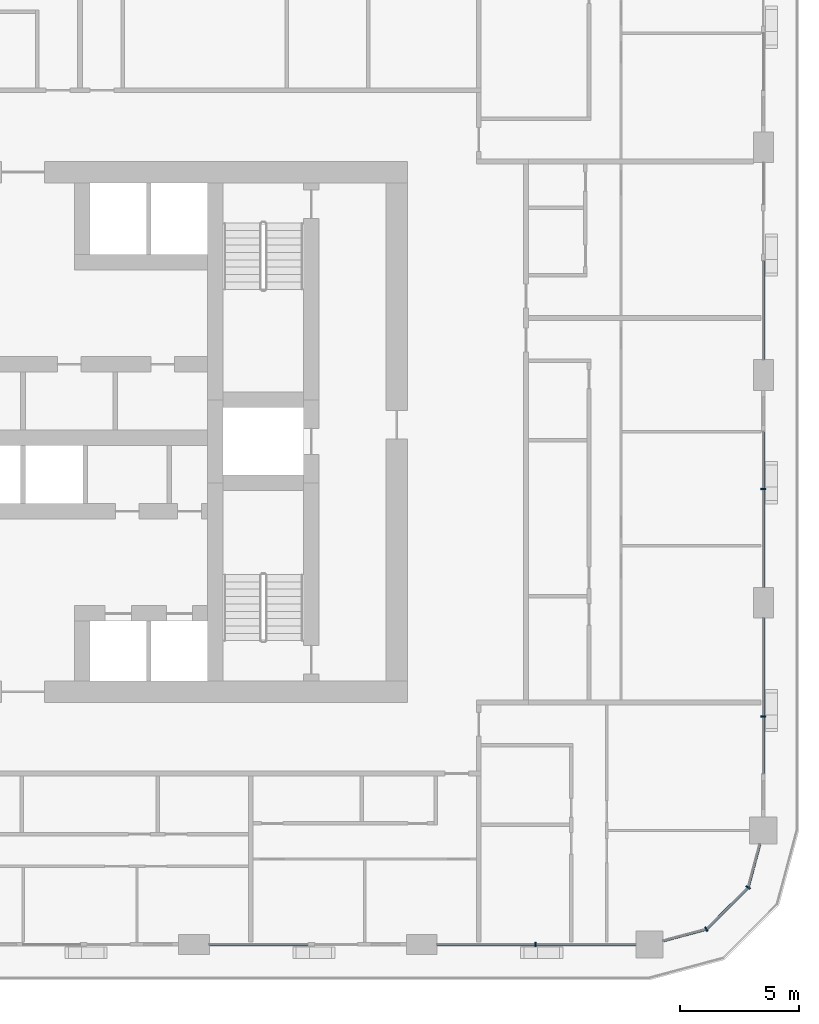
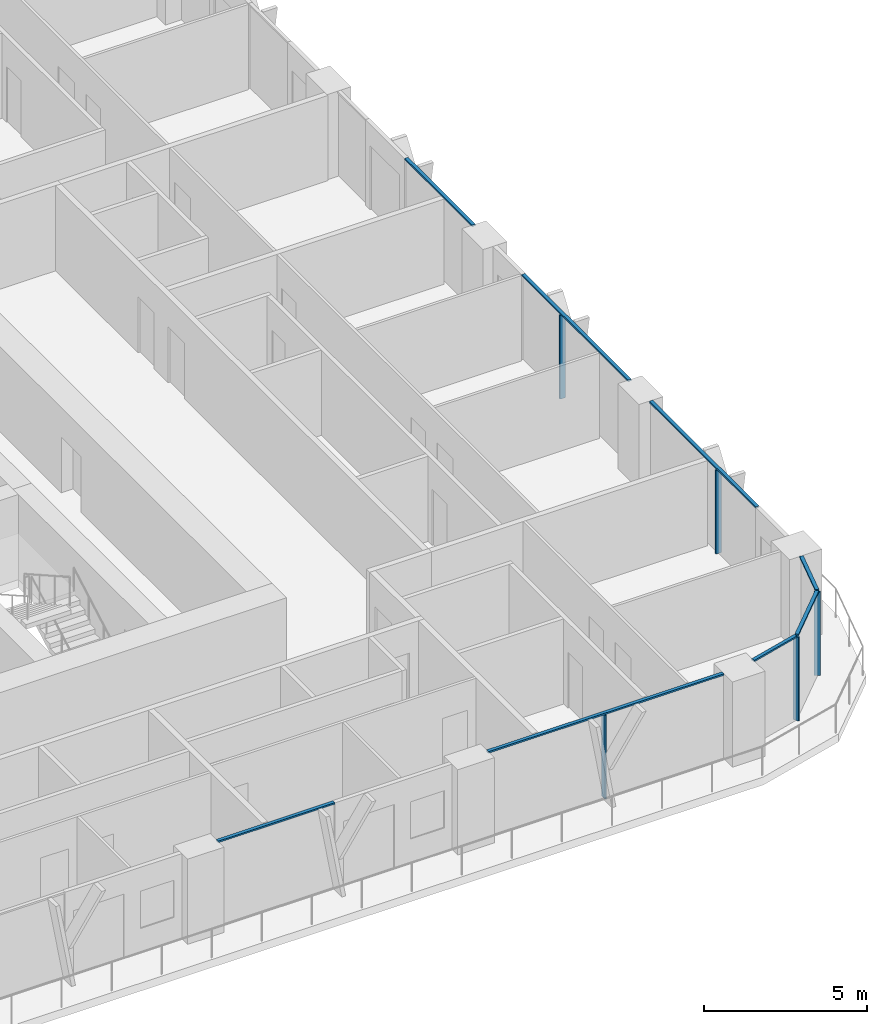
# One storey, part 4 of 22: 13 members, 6 elements without a shape of their own.
"""IFC4 building model written with IfcOpenShell, lengths in metres."""

from ifc_helpers import new_model, si_unit, direction, frame, origin, origin_2d, place, context, subcontext, project, spatial, rectangle, extrude, material, layer, layer_set, material_profile, profile_set, type_object, element, aggregate, save


model = new_model("IFC4")

# Units and contexts
model_context = context("Model", 3, precision=1e-05, world=origin(), true_north=direction((0.0, 1.0)))
body_context = subcontext(model_context, "Body", "Model", "MODEL_VIEW")
ifc_project = project(units=[si_unit("LENGTHUNIT", "METRE"), si_unit("AREAUNIT", "SQUARE_METRE"), si_unit("VOLUMEUNIT", "CUBIC_METRE"), si_unit("PLANEANGLEUNIT", "RADIAN"), si_unit("MASSUNIT", "GRAM", prefix="KILO")], contexts=[model_context])

# Site, building, storey
site_placement = place(None, origin())
site = spatial("IfcSite", under=ifc_project, at=site_placement, CompositionType="ELEMENT")
building_placement = place(site_placement, origin())
building = spatial("IfcBuilding", under=site, at=building_placement, Name="Madar Terraces", CompositionType="ELEMENT")
storey_placement = place(building_placement, frame((0.0, 0.0, 103.199951171875)))
storey = spatial("IfcBuildingStorey", under=building, at=storey_placement, Name="L26", CompositionType="ELEMENT", Elevation=103.199951171875)

# Curtain wall, member
ifc_material_1 = material(Name="Glass, ceramic frit dark grey, with black aluminium frame", Category="aluminium")
ifc_layer = layer(ifc_material_1, 0.199951171875)
ifc_layer_set = layer_set([ifc_layer], Name="Facade curtain wall, fritted glass")
curtain_wall_type = type_object("IfcCurtainWallType", Name="Facade curtain wall, fritted glass", PredefinedType="NOTDEFINED", material=ifc_layer_set)
curtain_wall_1_placement = place(storey_placement, origin())
curtain_wall_1 = element("IfcCurtainWall", 1, at=curtain_wall_1_placement, inside=storey, type_object=curtain_wall_type, Name="Outer skin curtain wall south bay 5", PredefinedType="NOTDEFINED")
ifc_material_2 = material(Name="Aluminium, black anodised", Category="aluminium")
ifc_material_profile_1 = material_profile(ifc_material_2, rectangle(XDim=0.199951171875, YDim=0.06005859375, at=origin_2d()), Name="Facade mullion 60x200")
ifc_profile_set_1 = profile_set([ifc_material_profile_1], Name="Aluminium, black anodised")
member_type_1 = type_object("IfcMemberType", Name="Facade mullion 60x200", PredefinedType="MULLION", material=ifc_profile_set_1)
member_1_placement = place(storey_placement, frame((52.800048828125, 4.800048828125, 0.0), z_axis=(0.0, 0.0, 1.0), x_axis=(0.0, 1.0, 0.0)))
member_1 = element("IfcMember", 2, at=member_1_placement, type_object=member_type_1, Name="Mullion 1", PredefinedType="MULLION", context=body_context, shape_type="SweptSolid", body=[
    extrude(rectangle(XDim=0.199951171875, YDim=0.06005859375, at=origin_2d()), origin(), (0.0, 0.0, 1.0), 3.14013671875),
])

curtain_wall_2_placement = place(storey_placement, origin())
curtain_wall_2 = element("IfcCurtainWall", 3, at=curtain_wall_2_placement, inside=storey, type_object=curtain_wall_type, Name="Outer skin curtain wall east bay 1", PredefinedType="NOTDEFINED")
member_2_placement = place(storey_placement, frame((62.39990234375, 14.39990234375, 0.0), z_axis=(0.0, 0.0, 1.0), x_axis=(-1.0, 0.0, 0.0)))
member_2 = element("IfcMember", 4, at=member_2_placement, type_object=member_type_1, Name="Mullion 1", PredefinedType="MULLION", context=body_context, shape_type="SweptSolid", body=[
    extrude(rectangle(XDim=0.199951171875, YDim=0.06005859375, at=origin_2d()), origin(), (0.0, 0.0, 1.0), 3.14013671875),
])

curtain_wall_3_placement = place(storey_placement, origin())
curtain_wall_3 = element("IfcCurtainWall", 5, at=curtain_wall_3_placement, inside=storey, type_object=curtain_wall_type, Name="Outer skin curtain wall east bay 2", PredefinedType="NOTDEFINED")
member_3_placement = place(storey_placement, frame((62.39990234375, 24.0, 0.0), z_axis=(0.0, 0.0, 1.0), x_axis=(-1.0, 0.0, 0.0)))
member_3 = element("IfcMember", 6, at=member_3_placement, type_object=member_type_1, Name="Mullion 1", PredefinedType="MULLION", context=body_context, shape_type="SweptSolid", body=[
    extrude(rectangle(XDim=0.199951171875, YDim=0.06005859375, at=origin_2d()), origin(), (0.0, 0.0, 1.0), 3.14013671875),
])

# Curtain wall, members
curtain_wall_4_placement = place(storey_placement, origin())
curtain_wall_4 = element("IfcCurtainWall", 7, at=curtain_wall_4_placement, inside=storey, type_object=curtain_wall_type, Name="Outer skin curtain wall south-east corner", PredefinedType="NOTDEFINED")
member_4_placement = place(storey_placement, frame((60.0, 5.443115234375, 0.0), z_axis=(0.0, 0.0, 1.0), x_axis=(-0.499999989586, 0.866025409797, 0.0)))
member_4 = element("IfcMember", 8, at=member_4_placement, type_object=member_type_1, Name="Mullion 1", PredefinedType="MULLION", context=body_context, shape_type="SweptSolid", body=[
    extrude(rectangle(XDim=0.199951171875, YDim=0.06005859375, at=origin_2d()), origin(), (0.0, 0.0, 1.0), 3.14013671875),
])
member_5_placement = place(storey_placement, frame((61.7568359375, 7.199951171875, 0.0), z_axis=(0.0, 0.0, 1.0), x_axis=(-0.866025409797, 0.499999989586, 0.0)))
member_5 = element("IfcMember", 9, at=member_5_placement, type_object=member_type_1, Name="Mullion 2", PredefinedType="MULLION", context=body_context, shape_type="SweptSolid", body=[
    extrude(rectangle(XDim=0.199951171875, YDim=0.06005859375, at=origin_2d()), origin(), (0.0, 0.0, 1.0), 3.14013671875),
])

# Curtain wall, member
curtain_wall_5_placement = place(storey_placement, origin())
curtain_wall_5 = element("IfcCurtainWall", 10, at=curtain_wall_5_placement, inside=storey, type_object=curtain_wall_type, Name="Outer skin curtain wall south bay 4", PredefinedType="NOTDEFINED")
ifc_material_3 = material(Name="Aluminium, black anodised", Category="aluminium")
ifc_material_profile_2 = material_profile(ifc_material_3, rectangle(XDim=0.1201171875, YDim=0.06005859375, at=origin_2d()), Name="Facade transom 60x120")
ifc_profile_set_2 = profile_set([ifc_material_profile_2], Name="Aluminium, black anodised")
member_type_2 = type_object("IfcMemberType", Name="Facade transom 60x120", PredefinedType="USERDEFINED", material=ifc_profile_set_2)
member_6_placement = place(storey_placement, frame((39.050048828125, 4.800048828125, 3.170166015625), z_axis=(1.0, 0.0, 0.0), x_axis=(0.0, 1.0, 0.0)))
member_6 = element("IfcMember", 11, at=member_6_placement, type_object=member_type_2, Name="Transom 1", ObjectType="TRANSOM", PredefinedType="USERDEFINED", context=body_context, shape_type="SweptSolid", body=[
    extrude(rectangle(XDim=0.1201171875, YDim=0.06005859375, at=origin_2d()), origin(), (0.0, 0.0, 1.0), 4.14990234375),
])
aggregate(curtain_wall_5, [member_6])

# Member
member_7_placement = place(storey_placement, frame((48.64990234375, 4.800048828125, 3.170166015625), z_axis=(1.0, 0.0, 0.0), x_axis=(0.0, 1.0, 0.0)))
member_7 = element("IfcMember", 12, at=member_7_placement, type_object=member_type_2, Name="Transom 1", ObjectType="TRANSOM", PredefinedType="USERDEFINED", context=body_context, shape_type="SweptSolid", body=[
    extrude(rectangle(XDim=0.1201171875, YDim=0.06005859375, at=origin_2d()), origin(), (0.0, 0.0, 1.0), 8.375),
])

aggregate(curtain_wall_1, [member_1, member_7])

member_8_placement = place(storey_placement, frame((62.39990234375, 12.0, 3.170166015625), z_axis=(0.0, 1.0, 0.0), x_axis=(-1.0, 0.0, 0.0)))
member_8 = element("IfcMember", 13, at=member_8_placement, type_object=member_type_2, Name="Transom 1", ObjectType="TRANSOM", PredefinedType="USERDEFINED", context=body_context, shape_type="SweptSolid", body=[
    extrude(rectangle(XDim=0.1201171875, YDim=0.06005859375, at=origin_2d()), origin(), (0.0, 0.0, 1.0), 6.550048828125),
])

aggregate(curtain_wall_2, [member_2, member_8])

member_9_placement = place(storey_placement, frame((62.39990234375, 19.85009765625, 3.170166015625), z_axis=(0.0, 1.0, 0.0), x_axis=(-1.0, 0.0, 0.0)))
member_9 = element("IfcMember", 14, at=member_9_placement, type_object=member_type_2, Name="Transom 1", ObjectType="TRANSOM", PredefinedType="USERDEFINED", context=body_context, shape_type="SweptSolid", body=[
    extrude(rectangle(XDim=0.1201171875, YDim=0.06005859375, at=origin_2d()), origin(), (0.0, 0.0, 1.0), 6.5498046875),
])

aggregate(curtain_wall_3, [member_3, member_9])

# Curtain wall, member
curtain_wall_6_placement = place(storey_placement, origin())
curtain_wall_6 = element("IfcCurtainWall", 15, at=curtain_wall_6_placement, inside=storey, type_object=curtain_wall_type, Name="Outer skin curtain wall east bay 3", PredefinedType="NOTDEFINED")
member_10_placement = place(storey_placement, frame((62.39990234375, 29.449951171875, 3.170166015625), z_axis=(0.0, 1.0, 0.0), x_axis=(-1.0, 0.0, 0.0)))
member_10 = element("IfcMember", 16, at=member_10_placement, type_object=member_type_2, Name="Transom 1", ObjectType="TRANSOM", PredefinedType="USERDEFINED", context=body_context, shape_type="SweptSolid", body=[
    extrude(rectangle(XDim=0.1201171875, YDim=0.06005859375, at=origin_2d()), origin(), (0.0, 0.0, 1.0), 4.150146484375),
])
aggregate(curtain_wall_6, [member_10])

# Member
member_11_placement = place(storey_placement, frame((58.175048828125, 4.9541015625, 3.170166015625), z_axis=(0.965926950947, 0.258814847786, 0.0), x_axis=(-0.258814847786, 0.965926950947, 0.0)))
member_11 = element("IfcMember", 17, at=member_11_placement, type_object=member_type_2, Name="Transom 1", ObjectType="TRANSOM", PredefinedType="USERDEFINED", context=body_context, shape_type="SweptSolid", body=[
    extrude(rectangle(XDim=0.1201171875, YDim=0.06005859375, at=origin_2d()), origin(), (0.0, 0.0, 1.0), 1.859130859375),
])

member_12_placement = place(storey_placement, frame((60.021240234375, 5.46435546875, 3.170166015625), z_axis=(0.707106781187, 0.707106781187, 0.0), x_axis=(-0.707106781187, 0.707106781187, 0.0)))
member_12 = element("IfcMember", 18, at=member_12_placement, type_object=member_type_2, Name="Transom 2", ObjectType="TRANSOM", PredefinedType="USERDEFINED", context=body_context, shape_type="SweptSolid", body=[
    extrude(rectangle(XDim=0.1201171875, YDim=0.06005859375, at=origin_2d()), origin(), (0.0, 0.0, 1.0), 2.424560546875),
])

member_13_placement = place(storey_placement, frame((61.7646484375, 7.22900390625, 3.170166015625), z_axis=(0.258814847786, 0.965926950947, 0.0), x_axis=(-0.965926950947, 0.258814847786, 0.0)))
member_13 = element("IfcMember", 19, at=member_13_placement, type_object=member_type_2, Name="Transom 3", ObjectType="TRANSOM", PredefinedType="USERDEFINED", context=body_context, shape_type="SweptSolid", body=[
    extrude(rectangle(XDim=0.1201171875, YDim=0.06005859375, at=origin_2d()), origin(), (0.0, 0.0, 1.0), 1.859130859375),
])

aggregate(curtain_wall_4, [member_4, member_11, member_5, member_12, member_13])

save(model, "model.ifc")
